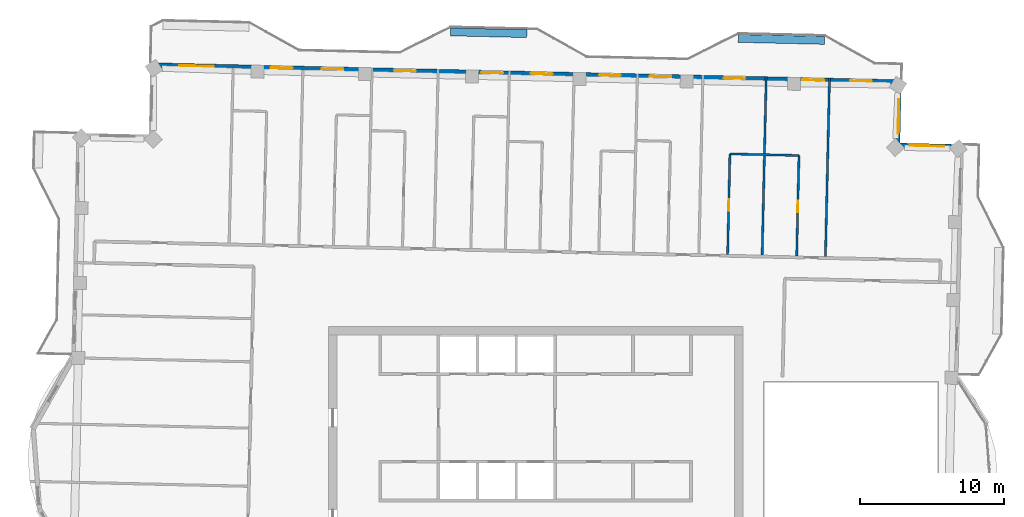
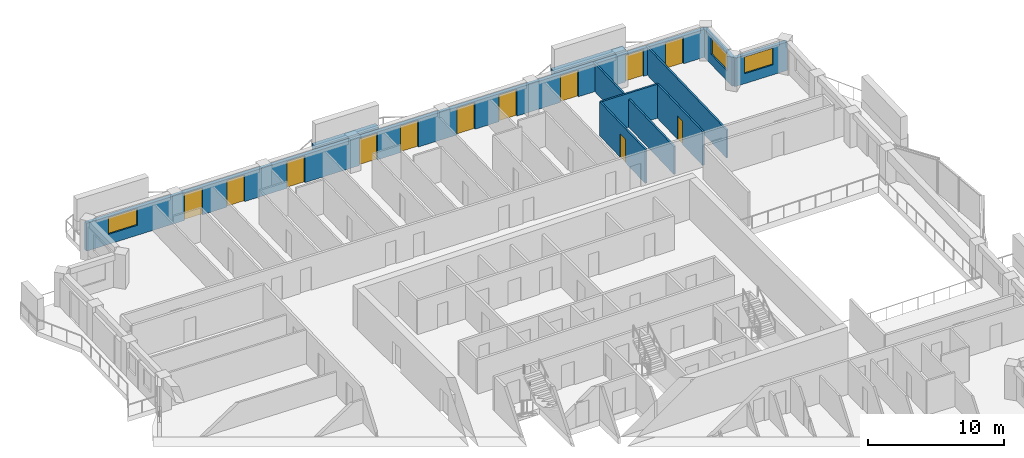
# One storey, part 10 of 15: 12 doors, 10 walls, 3 windows, 15 openings.
"""IFC4 building model written with IfcOpenShell, lengths in metres."""

from ifc_helpers import new_model, si_unit, direction, frame, frame_2d, origin, place, context, subcontext, project, spatial, rectangle, extrude, material, layer, layer_set, type_object, element, fill, save


model = new_model("IFC4")

# Units and contexts
model_context = context("Model", 3, precision=1e-05, world=origin(), true_north=direction((0.0, 1.0)))
body_context = subcontext(model_context, "Body", "Model", "MODEL_VIEW")
ifc_project = project(units=[si_unit("LENGTHUNIT", "METRE"), si_unit("AREAUNIT", "SQUARE_METRE"), si_unit("VOLUMEUNIT", "CUBIC_METRE"), si_unit("PLANEANGLEUNIT", "RADIAN"), si_unit("MASSUNIT", "GRAM", prefix="KILO")], contexts=[model_context])

# Site, building, storey
site_placement = place(None, origin())
site = spatial("IfcSite", under=ifc_project, at=site_placement, CompositionType="ELEMENT")
building_placement = place(site_placement, origin())
building = spatial("IfcBuilding", under=site, at=building_placement, Name="Mangrove Gate Tower", CompositionType="ELEMENT")
storey_placement = place(building_placement, frame((0.0, 0.0, 306.10009765625)))
storey = spatial("IfcBuildingStorey", under=building, at=storey_placement, Name="L78", CompositionType="ELEMENT", Elevation=306.10009765625)

# Wall, opening, window
ifc_material_1 = material(Name="Limestone", Category="masonry")
ifc_layer_1 = layer(ifc_material_1, 0.0400390625, Name="Limestone cladding")
ifc_material_2 = material(Name="Ventilated air gap")
ifc_layer_2 = layer(ifc_material_2, 0.0400390625, Name="Ventilated cavity")
ifc_material_3 = material(Name="Mineral wool insulation")
ifc_layer_3 = layer(ifc_material_3, 0.06005859375, Name="Insulation")
ifc_material_4 = material(Name="Breather membrane")
ifc_layer_4 = layer(ifc_material_4, 0.001953125, Name="Breather membrane")
ifc_material_5 = material(Name="Concrete C20/25 blockwork", Category="masonry")
ifc_layer_5 = layer(ifc_material_5, 0.14990234375, Name="Blockwork backing wall")
ifc_material_6 = material(Name="Gypsum plaster")
ifc_layer_6 = layer(ifc_material_6, 0.008056640625, Name="Internal plaster")
ifc_layer_set_1 = layer_set([ifc_layer_1, ifc_layer_2, ifc_layer_3, ifc_layer_4, ifc_layer_5, ifc_layer_6], Name="External wall 300 limestone cladding")
wall_type_1 = type_object("IfcWallType", Name="External wall 300 limestone cladding", PredefinedType="SOLIDWALL", material=ifc_layer_set_1)
wall_1_placement = place(storey_placement, frame((29.56298828125, 23.89892578125, 0.0), z_axis=(0.0, 0.0, 1.0), x_axis=(-0.999741204967, 0.022749133868, 0.0)))
wall_1 = element("IfcWall", 1, at=wall_1_placement, inside=storey, type_object=wall_type_1, Name="WALL-L78-N3", PredefinedType="SOLIDWALL", context=body_context, shape_type="SweptSolid", body=[
    extrude(rectangle(XDim=4.400146484375, YDim=0.300048828125, at=frame_2d((2.2001953125, 0.0))), origin(), (0.0, 0.0, 1.0), 2.5498046875),
])
opening_1_placement = place(wall_1_placement, frame((1.181884765625, 0.0, 0.89990234375)))
opening_1 = element("IfcOpeningElement", 2, at=opening_1_placement, cuts=wall_1, Name="Opening W2", PredefinedType="OPENING", context=body_context, shape_type="SweptSolid", body=[
    extrude(rectangle(XDim=2.39990234375, YDim=1.5, at=frame_2d((1.199951171875, 0.75))), frame((0.0, 0.159912109375, 0.0), z_axis=(0.0, -1.0, 0.0), x_axis=(1.0, 0.0, 0.0)), (0.0, 0.0, 1.0), 0.320068359375),
])
ifc_material_7 = material(Name="Aluminium frame with double-glazed low-e glass", Category="aluminium")
window_type = type_object("IfcWindowType", Name="Corner room window 2400x1500", PartitioningType="DOUBLE_PANEL_VERTICAL", PredefinedType="WINDOW", material=ifc_material_7)
window_1_placement = place(opening_1_placement, origin())
window_1 = element("IfcWindow", 3, at=window_1_placement, inside=storey, type_object=window_type, Name="WIN-L78-N3-1", OverallHeight=1.5, OverallWidth=2.39990234375, PartitioningType="DOUBLE_PANEL_VERTICAL", PredefinedType="WINDOW", context=body_context, shape_type="SweptSolid", body=[
    extrude(rectangle(XDim=2.39990234375, YDim=1.5, at=frame_2d((1.199951171875, 0.75))), frame((0.0, 0.030029296875, 0.0), z_axis=(0.0, -1.0, 0.0), x_axis=(1.0, 0.0, 0.0)), (0.0, 0.0, 1.0), 0.06005859375),
])
fill(opening_1, window_1)

wall_2_placement = place(storey_placement, frame((25.1640625, 23.9990234375, 0.0), z_axis=(0.0, 0.0, 1.0), x_axis=(0.02269871331, 0.999742351016, 0.0)))
wall_2 = element("IfcWall", 4, at=wall_2_placement, inside=storey, type_object=wall_type_1, Name="WALL-L78-E4", PredefinedType="SOLIDWALL", context=body_context, shape_type="SweptSolid", body=[
    extrude(rectangle(XDim=4.399169921875, YDim=0.300048828125, at=frame_2d((2.19970703125, 0.0))), origin(), (0.0, 0.0, 1.0), 2.5498046875),
])
opening_2_placement = place(wall_2_placement, frame((0.806884765625, 0.0, 0.89990234375)))
opening_2 = element("IfcOpeningElement", 5, at=opening_2_placement, cuts=wall_2, Name="Opening W2", PredefinedType="OPENING", context=body_context, shape_type="SweptSolid", body=[
    extrude(rectangle(XDim=2.39990234375, YDim=1.5, at=frame_2d((1.199951171875, 0.75))), frame((0.0, 0.159912109375, 0.0), z_axis=(0.0, -1.0, 0.0), x_axis=(1.0, 0.0, 0.0)), (0.0, 0.0, 1.0), 0.320068359375),
])
window_2_placement = place(opening_2_placement, origin())
window_2 = element("IfcWindow", 6, at=window_2_placement, inside=storey, type_object=window_type, Name="WIN-L78-E4-1", OverallHeight=1.5, OverallWidth=2.39990234375, PartitioningType="DOUBLE_PANEL_VERTICAL", PredefinedType="WINDOW", context=body_context, shape_type="SweptSolid", body=[
    extrude(rectangle(XDim=2.39990234375, YDim=1.5, at=frame_2d((1.199951171875, 0.75))), frame((0.0, 0.030029296875, 0.0), z_axis=(0.0, -1.0, 0.0), x_axis=(1.0, 0.0, 0.0)), (0.0, 0.0, 1.0), 0.06005859375),
])
fill(opening_2, window_2)

# Wall, openings, doors, window
wall_3_placement = place(storey_placement, frame((25.263916015625, 28.39697265625, 0.0), z_axis=(0.0, 0.0, 1.0), x_axis=(-0.999742391375, 0.022696935658, 0.0)))
wall_3 = element("IfcWall", 7, at=wall_3_placement, inside=storey, type_object=wall_type_1, Name="WALL-L78-N5", PredefinedType="SOLIDWALL", context=body_context, shape_type="SweptSolid", body=[
    extrude(rectangle(XDim=51.900390625, YDim=0.300048828125, at=frame_2d((25.9501953125, 0.0))), origin(), (0.0, 0.0, 1.0), 2.5),
])
opening_3_placement = place(wall_3_placement, frame((1.89794921875, 0.0, 0.0)))
opening_3 = element("IfcOpeningElement", 8, at=opening_3_placement, cuts=wall_3, Name="Opening BD1", PredefinedType="OPENING", context=body_context, shape_type="SweptSolid", body=[
    extrude(rectangle(XDim=1.5, YDim=2.39990234375, at=frame_2d((0.75, 1.199951171875))), frame((0.0, 0.159912109375, 0.0), z_axis=(0.0, -1.0, 0.0), x_axis=(1.0, 0.0, 0.0)), (0.0, 0.0, 1.0), 0.320068359375),
])
opening_4_placement = place(wall_3_placement, frame((5.22900390625, 0.0, 0.0)))
opening_4 = element("IfcOpeningElement", 9, at=opening_4_placement, cuts=wall_3, Name="Opening BD1", PredefinedType="OPENING", context=body_context, shape_type="SweptSolid", body=[
    extrude(rectangle(XDim=1.5, YDim=2.39990234375, at=frame_2d((0.75, 1.199951171875))), frame((0.0, 0.159912109375, 0.0), z_axis=(0.0, -1.0, 0.0), x_axis=(1.0, 0.0, 0.0)), (0.0, 0.0, 1.0), 0.320068359375),
])
opening_5_placement = place(wall_3_placement, frame((10.699951171875, 0.0, 0.0)))
opening_5 = element("IfcOpeningElement", 10, at=opening_5_placement, cuts=wall_3, Name="Opening BD1", PredefinedType="OPENING", context=body_context, shape_type="SweptSolid", body=[
    extrude(rectangle(XDim=1.5, YDim=2.39990234375, at=frame_2d((0.75, 1.199951171875))), frame((0.0, 0.159912109375, 0.0), z_axis=(0.0, -1.0, 0.0), x_axis=(1.0, 0.0, 0.0)), (0.0, 0.0, 1.0), 0.320068359375),
])
opening_6_placement = place(wall_3_placement, frame((15.83203125, 0.0, 0.0)))
opening_6 = element("IfcOpeningElement", 11, at=opening_6_placement, cuts=wall_3, Name="Opening BD1", PredefinedType="OPENING", context=body_context, shape_type="SweptSolid", body=[
    extrude(rectangle(XDim=1.5, YDim=2.39990234375, at=frame_2d((0.75, 1.199951171875))), frame((0.0, 0.159912109375, 0.0), z_axis=(0.0, -1.0, 0.0), x_axis=(1.0, 0.0, 0.0)), (0.0, 0.0, 1.0), 0.320068359375),
])
opening_7_placement = place(wall_3_placement, frame((19.361083984375, 0.0, 0.0)))
opening_7 = element("IfcOpeningElement", 12, at=opening_7_placement, cuts=wall_3, Name="Opening BD1", PredefinedType="OPENING", context=body_context, shape_type="SweptSolid", body=[
    extrude(rectangle(XDim=1.5, YDim=2.39990234375, at=frame_2d((0.75, 1.199951171875))), frame((0.0, 0.159912109375, 0.0), z_axis=(0.0, -1.0, 0.0), x_axis=(1.0, 0.0, 0.0)), (0.0, 0.0, 1.0), 0.320068359375),
])
opening_8_placement = place(wall_3_placement, frame((24.10009765625, 0.0, 0.0)))
opening_8 = element("IfcOpeningElement", 13, at=opening_8_placement, cuts=wall_3, Name="Opening BD1", PredefinedType="OPENING", context=body_context, shape_type="SweptSolid", body=[
    extrude(rectangle(XDim=1.5, YDim=2.39990234375, at=frame_2d((0.75, 1.199951171875))), frame((0.0, 0.159912109375, 0.0), z_axis=(0.0, -1.0, 0.0), x_axis=(1.0, 0.0, 0.0)), (0.0, 0.0, 1.0), 0.320068359375),
])
opening_9_placement = place(wall_3_placement, frame((27.5390625, 0.0, 0.0)))
opening_9 = element("IfcOpeningElement", 14, at=opening_9_placement, cuts=wall_3, Name="Opening BD1", PredefinedType="OPENING", context=body_context, shape_type="SweptSolid", body=[
    extrude(rectangle(XDim=1.5, YDim=2.39990234375, at=frame_2d((0.75, 1.199951171875))), frame((0.0, 0.159912109375, 0.0), z_axis=(0.0, -1.0, 0.0), x_axis=(1.0, 0.0, 0.0)), (0.0, 0.0, 1.0), 0.320068359375),
])
opening_10_placement = place(wall_3_placement, frame((33.60009765625, 0.0, 0.0)))
opening_10 = element("IfcOpeningElement", 15, at=opening_10_placement, cuts=wall_3, Name="Opening BD1", PredefinedType="OPENING", context=body_context, shape_type="SweptSolid", body=[
    extrude(rectangle(XDim=1.5, YDim=2.39990234375, at=frame_2d((0.75, 1.199951171875))), frame((0.0, 0.159912109375, 0.0), z_axis=(0.0, -1.0, 0.0), x_axis=(1.0, 0.0, 0.0)), (0.0, 0.0, 1.0), 0.320068359375),
])
opening_11_placement = place(wall_3_placement, frame((38.64306640625, 0.0, 0.0)))
opening_11 = element("IfcOpeningElement", 16, at=opening_11_placement, cuts=wall_3, Name="Opening BD1", PredefinedType="OPENING", context=body_context, shape_type="SweptSolid", body=[
    extrude(rectangle(XDim=1.5, YDim=2.39990234375, at=frame_2d((0.75, 1.199951171875))), frame((0.0, 0.159912109375, 0.0), z_axis=(0.0, -1.0, 0.0), x_axis=(1.0, 0.0, 0.0)), (0.0, 0.0, 1.0), 0.320068359375),
])
opening_12_placement = place(wall_3_placement, frame((42.1708984375, 0.0, 0.0)))
opening_12 = element("IfcOpeningElement", 17, at=opening_12_placement, cuts=wall_3, Name="Opening BD1", PredefinedType="OPENING", context=body_context, shape_type="SweptSolid", body=[
    extrude(rectangle(XDim=1.5, YDim=2.39990234375, at=frame_2d((0.75, 1.199951171875))), frame((0.0, 0.159912109375, 0.0), z_axis=(0.0, -1.0, 0.0), x_axis=(1.0, 0.0, 0.0)), (0.0, 0.0, 1.0), 0.320068359375),
])
opening_13_placement = place(wall_3_placement, frame((47.636962890625, 0.0, 0.89990234375)))
opening_13 = element("IfcOpeningElement", 18, at=opening_13_placement, cuts=wall_3, Name="Opening W2", PredefinedType="OPENING", context=body_context, shape_type="SweptSolid", body=[
    extrude(rectangle(XDim=2.39990234375, YDim=1.5, at=frame_2d((1.199951171875, 0.75))), frame((0.0, 0.159912109375, 0.0), z_axis=(0.0, -1.0, 0.0), x_axis=(1.0, 0.0, 0.0)), (0.0, 0.0, 1.0), 0.320068359375),
])
ifc_material_8 = material(Name="Aluminium frame with laminated clear glass", Category="aluminium")
door_type_1 = type_object("IfcDoorType", Name="Balcony sliding door 1500x2400", OperationType="SLIDING_TO_LEFT", PredefinedType="DOOR", material=ifc_material_8)
door_1_placement = place(opening_3_placement, origin())
door_1 = element("IfcDoor", 19, at=door_1_placement, inside=storey, type_object=door_type_1, Name="DOOR-L78-N5-1", OperationType="SLIDING_TO_LEFT", OverallHeight=2.39990234375, OverallWidth=1.5, PredefinedType="DOOR", context=body_context, shape_type="SweptSolid", body=[
    extrude(rectangle(XDim=1.5, YDim=2.39990234375, at=frame_2d((0.75, 1.199951171875))), frame((0.0, 0.02490234375, 0.0), z_axis=(0.0, -1.0, 0.0), x_axis=(1.0, 0.0, 0.0)), (0.0, 0.0, 1.0), 0.050048828125),
])
fill(opening_3, door_1)
door_2_placement = place(opening_4_placement, origin())
door_2 = element("IfcDoor", 20, at=door_2_placement, inside=storey, type_object=door_type_1, Name="DOOR-L78-N5-2", OperationType="SLIDING_TO_LEFT", OverallHeight=2.39990234375, OverallWidth=1.5, PredefinedType="DOOR", context=body_context, shape_type="SweptSolid", body=[
    extrude(rectangle(XDim=1.5, YDim=2.39990234375, at=frame_2d((0.75, 1.199951171875))), frame((0.0, 0.02490234375, 0.0), z_axis=(0.0, -1.0, 0.0), x_axis=(1.0, 0.0, 0.0)), (0.0, 0.0, 1.0), 0.050048828125),
])
fill(opening_4, door_2)
door_3_placement = place(opening_5_placement, origin())
door_3 = element("IfcDoor", 21, at=door_3_placement, inside=storey, type_object=door_type_1, Name="DOOR-L78-N5-3", OperationType="SLIDING_TO_LEFT", OverallHeight=2.39990234375, OverallWidth=1.5, PredefinedType="DOOR", context=body_context, shape_type="SweptSolid", body=[
    extrude(rectangle(XDim=1.5, YDim=2.39990234375, at=frame_2d((0.75, 1.199951171875))), frame((0.0, 0.02490234375, 0.0), z_axis=(0.0, -1.0, 0.0), x_axis=(1.0, 0.0, 0.0)), (0.0, 0.0, 1.0), 0.050048828125),
])
fill(opening_5, door_3)
door_4_placement = place(opening_6_placement, origin())
door_4 = element("IfcDoor", 22, at=door_4_placement, inside=storey, type_object=door_type_1, Name="DOOR-L78-N5-4", OperationType="SLIDING_TO_LEFT", OverallHeight=2.39990234375, OverallWidth=1.5, PredefinedType="DOOR", context=body_context, shape_type="SweptSolid", body=[
    extrude(rectangle(XDim=1.5, YDim=2.39990234375, at=frame_2d((0.75, 1.199951171875))), frame((0.0, 0.02490234375, 0.0), z_axis=(0.0, -1.0, 0.0), x_axis=(1.0, 0.0, 0.0)), (0.0, 0.0, 1.0), 0.050048828125),
])
fill(opening_6, door_4)
door_5_placement = place(opening_7_placement, origin())
door_5 = element("IfcDoor", 23, at=door_5_placement, inside=storey, type_object=door_type_1, Name="DOOR-L78-N5-5", OperationType="SLIDING_TO_LEFT", OverallHeight=2.39990234375, OverallWidth=1.5, PredefinedType="DOOR", context=body_context, shape_type="SweptSolid", body=[
    extrude(rectangle(XDim=1.5, YDim=2.39990234375, at=frame_2d((0.75, 1.199951171875))), frame((0.0, 0.02490234375, 0.0), z_axis=(0.0, -1.0, 0.0), x_axis=(1.0, 0.0, 0.0)), (0.0, 0.0, 1.0), 0.050048828125),
])
fill(opening_7, door_5)
door_6_placement = place(opening_8_placement, origin())
door_6 = element("IfcDoor", 24, at=door_6_placement, inside=storey, type_object=door_type_1, Name="DOOR-L78-N5-6", OperationType="SLIDING_TO_LEFT", OverallHeight=2.39990234375, OverallWidth=1.5, PredefinedType="DOOR", context=body_context, shape_type="SweptSolid", body=[
    extrude(rectangle(XDim=1.5, YDim=2.39990234375, at=frame_2d((0.75, 1.199951171875))), frame((0.0, 0.02490234375, 0.0), z_axis=(0.0, -1.0, 0.0), x_axis=(1.0, 0.0, 0.0)), (0.0, 0.0, 1.0), 0.050048828125),
])
fill(opening_8, door_6)
door_7_placement = place(opening_9_placement, origin())
door_7 = element("IfcDoor", 25, at=door_7_placement, inside=storey, type_object=door_type_1, Name="DOOR-L78-N5-7", OperationType="SLIDING_TO_LEFT", OverallHeight=2.39990234375, OverallWidth=1.5, PredefinedType="DOOR", context=body_context, shape_type="SweptSolid", body=[
    extrude(rectangle(XDim=1.5, YDim=2.39990234375, at=frame_2d((0.75, 1.199951171875))), frame((0.0, 0.02490234375, 0.0), z_axis=(0.0, -1.0, 0.0), x_axis=(1.0, 0.0, 0.0)), (0.0, 0.0, 1.0), 0.050048828125),
])
fill(opening_9, door_7)
door_8_placement = place(opening_10_placement, origin())
door_8 = element("IfcDoor", 26, at=door_8_placement, inside=storey, type_object=door_type_1, Name="DOOR-L78-N5-8", OperationType="SLIDING_TO_LEFT", OverallHeight=2.39990234375, OverallWidth=1.5, PredefinedType="DOOR", context=body_context, shape_type="SweptSolid", body=[
    extrude(rectangle(XDim=1.5, YDim=2.39990234375, at=frame_2d((0.75, 1.199951171875))), frame((0.0, 0.02490234375, 0.0), z_axis=(0.0, -1.0, 0.0), x_axis=(1.0, 0.0, 0.0)), (0.0, 0.0, 1.0), 0.050048828125),
])
fill(opening_10, door_8)
door_9_placement = place(opening_11_placement, origin())
door_9 = element("IfcDoor", 27, at=door_9_placement, inside=storey, type_object=door_type_1, Name="DOOR-L78-N5-9", OperationType="SLIDING_TO_LEFT", OverallHeight=2.39990234375, OverallWidth=1.5, PredefinedType="DOOR", context=body_context, shape_type="SweptSolid", body=[
    extrude(rectangle(XDim=1.5, YDim=2.39990234375, at=frame_2d((0.75, 1.199951171875))), frame((0.0, 0.02490234375, 0.0), z_axis=(0.0, -1.0, 0.0), x_axis=(1.0, 0.0, 0.0)), (0.0, 0.0, 1.0), 0.050048828125),
])
fill(opening_11, door_9)
door_10_placement = place(opening_12_placement, origin())
door_10 = element("IfcDoor", 28, at=door_10_placement, inside=storey, type_object=door_type_1, Name="DOOR-L78-N5-10", OperationType="SLIDING_TO_LEFT", OverallHeight=2.39990234375, OverallWidth=1.5, PredefinedType="DOOR", context=body_context, shape_type="SweptSolid", body=[
    extrude(rectangle(XDim=1.5, YDim=2.39990234375, at=frame_2d((0.75, 1.199951171875))), frame((0.0, 0.02490234375, 0.0), z_axis=(0.0, -1.0, 0.0), x_axis=(1.0, 0.0, 0.0)), (0.0, 0.0, 1.0), 0.050048828125),
])
fill(opening_12, door_10)
window_3_placement = place(opening_13_placement, origin())
window_3 = element("IfcWindow", 29, at=window_3_placement, inside=storey, type_object=window_type, Name="WIN-L78-N5-11", OverallHeight=1.5, OverallWidth=2.39990234375, PartitioningType="DOUBLE_PANEL_VERTICAL", PredefinedType="WINDOW", context=body_context, shape_type="SweptSolid", body=[
    extrude(rectangle(XDim=2.39990234375, YDim=1.5, at=frame_2d((1.199951171875, 0.75))), frame((0.0, 0.030029296875, 0.0), z_axis=(0.0, -1.0, 0.0), x_axis=(1.0, 0.0, 0.0)), (0.0, 0.0, 1.0), 0.06005859375),
])
fill(opening_13, window_3)

# Wall, opening, door
ifc_material_9 = material(Name="Gypsum board on steel stud, EI 60", Category="steel")
ifc_layer_7 = layer(ifc_material_9, 0.14990234375)
ifc_layer_set_2 = layer_set([ifc_layer_7], Name="Party wall 150 EI 60")
wall_type_2 = type_object("IfcWallType", Name="Party wall 150 EI 60", PredefinedType="PARTITIONING", material=ifc_layer_set_2)
wall_4_placement = place(storey_placement, frame((13.339111328125, 16.4150390625, 0.0), z_axis=(0.0, 0.0, 1.0), x_axis=(0.022630826984, 0.999743890039, 0.0)))
wall_4 = element("IfcWall", 30, at=wall_4_placement, inside=storey, type_object=wall_type_2, Name="WALL-L78-074", PredefinedType="PARTITIONING", context=body_context, shape_type="SweptSolid", body=[
    extrude(rectangle(XDim=6.979736328125, YDim=0.14990234375, at=frame_2d((3.48974609375, 0.0))), origin(), (0.0, 0.0, 1.0), 3.0498046875),
])
opening_14_placement = place(wall_4_placement, frame((3.0400390625, 0.0, 0.0)))
opening_14 = element("IfcOpeningElement", 31, at=opening_14_placement, cuts=wall_4, Name="Opening ED", PredefinedType="OPENING", context=body_context, shape_type="SweptSolid", body=[
    extrude(rectangle(XDim=0.800048828125, YDim=2.10009765625, at=frame_2d((0.39990234375, 1.050048828125))), frame((0.0, 0.0849609375, 0.0), z_axis=(0.0, -1.0, 0.0), x_axis=(1.0, 0.0, 0.0)), (0.0, 0.0, 1.0), 0.169921875),
])
ifc_material_10 = material(Name="Timber door leaf", Category="wood")
door_type_2 = type_object("IfcDoorType", Name="En-suite door 800", OperationType="SINGLE_SWING_LEFT", PredefinedType="DOOR", material=ifc_material_10)
door_11_placement = place(opening_14_placement, origin())
door_11 = element("IfcDoor", 32, at=door_11_placement, inside=storey, type_object=door_type_2, Name="DOOR-L78-ENS-c312", OperationType="SINGLE_SWING_RIGHT", OverallHeight=2.10009765625, OverallWidth=0.800048828125, PredefinedType="DOOR", context=body_context, shape_type="SweptSolid", body=[
    extrude(rectangle(XDim=0.800048828125, YDim=2.10009765625, at=frame_2d((0.39990234375, 1.050048828125))), frame((0.0, 0.02490234375, 0.0), z_axis=(0.0, -1.0, 0.0), x_axis=(1.0, 0.0, 0.0)), (0.0, 0.0, 1.0), 0.050048828125),
])
fill(opening_14, door_11)

# Wall
wall_5_placement = place(storey_placement, frame((15.738037109375, 16.360107421875, 0.0), z_axis=(0.0, 0.0, 1.0), x_axis=(0.022740189192, 0.999741408463, 0.0)))
element("IfcWall", 33, at=wall_5_placement, inside=storey, type_object=wall_type_2, Name="WALL-L78-075", PredefinedType="PARTITIONING", context=body_context, shape_type="SweptSolid", body=[
    extrude(rectangle(XDim=12.400146484375, YDim=0.14990234375, at=frame_2d((6.2001953125, 0.0))), origin(), (0.0, 0.0, 1.0), 2.5),
])

# Wall, opening, door
wall_6_placement = place(storey_placement, frame((18.137939453125, 16.305908203125, 0.0), z_axis=(0.0, 0.0, 1.0), x_axis=(0.022630826984, 0.999743890039, 0.0)))
wall_6 = element("IfcWall", 34, at=wall_6_placement, inside=storey, type_object=wall_type_2, Name="WALL-L78-076", PredefinedType="PARTITIONING", context=body_context, shape_type="SweptSolid", body=[
    extrude(rectangle(XDim=6.979736328125, YDim=0.14990234375, at=frame_2d((3.48974609375, 0.0))), origin(), (0.0, 0.0, 1.0), 3.0498046875),
])
opening_15_placement = place(wall_6_placement, frame((3.0400390625, 0.0, 0.0)))
opening_15 = element("IfcOpeningElement", 35, at=opening_15_placement, cuts=wall_6, Name="Opening ED", PredefinedType="OPENING", context=body_context, shape_type="SweptSolid", body=[
    extrude(rectangle(XDim=0.800048828125, YDim=2.10009765625, at=frame_2d((0.39990234375, 1.050048828125))), frame((0.0, 0.0849609375, 0.0), z_axis=(0.0, -1.0, 0.0), x_axis=(1.0, 0.0, 0.0)), (0.0, 0.0, 1.0), 0.169921875),
])
door_12_placement = place(opening_15_placement, origin())
door_12 = element("IfcDoor", 36, at=door_12_placement, inside=storey, type_object=door_type_2, Name="DOOR-L78-ENS-c311", OperationType="SINGLE_SWING_LEFT", OverallHeight=2.10009765625, OverallWidth=0.800048828125, PredefinedType="DOOR", context=body_context, shape_type="SweptSolid", body=[
    extrude(rectangle(XDim=0.800048828125, YDim=2.10009765625, at=frame_2d((0.39990234375, 1.050048828125))), frame((0.0, 0.02490234375, 0.0), z_axis=(0.0, -1.0, 0.0), x_axis=(1.0, 0.0, 0.0)), (0.0, 0.0, 1.0), 0.050048828125),
])
fill(opening_15, door_12)

# Walls
wall_7_placement = place(storey_placement, frame((20.136962890625, 16.260986328125, 0.0), z_axis=(0.0, 0.0, 1.0), x_axis=(0.022663260168, 0.999743155335, 0.0)))
element("IfcWall", 37, at=wall_7_placement, inside=storey, type_object=wall_type_2, Name="WALL-L78-077", PredefinedType="PARTITIONING", context=body_context, shape_type="SweptSolid", body=[
    extrude(rectangle(XDim=12.399169921875, YDim=0.14990234375, at=frame_2d((6.19970703125, 0.0))), origin(), (0.0, 0.0, 1.0), 2.5),
])
wall_8_placement = place(storey_placement, frame((13.4970703125, 23.39306640625, 0.0), z_axis=(0.0, 0.0, 1.0), x_axis=(0.999741520352, -0.022735269617, 0.0)))
element("IfcWall", 38, at=wall_8_placement, inside=storey, type_object=wall_type_2, Name="WALL-L78-079", PredefinedType="PARTITIONING", context=body_context, shape_type="SweptSolid", body=[
    extrude(rectangle(XDim=4.800048828125, YDim=0.14990234375, at=frame_2d((2.39990234375, 0.0))), origin(), (0.0, 0.0, 1.0), 3.0498046875),
])
ifc_material_11 = material(Name="Concrete C32/40", Category="concrete")
ifc_layer_8 = layer(ifc_material_11, 0.199951171875, Name="Planter trough wall")
ifc_material_12 = material(Name="Bituminous waterproofing membrane")
ifc_layer_9 = layer(ifc_material_12, 0.0048828125, Name="Waterproofing")
ifc_material_13 = material(Name="Drainage board and gravel")
ifc_layer_10 = layer(ifc_material_13, 0.044921875, Name="Drainage layer")
ifc_material_14 = material(Name="Planting soil")
ifc_layer_11 = layer(ifc_material_14, 0.300048828125, Name="Growing medium")
ifc_layer_set_3 = layer_set([ifc_layer_8, ifc_layer_9, ifc_layer_10, ifc_layer_11], Name="Planter wall 550 C32/40")
wall_type_3 = type_object("IfcWallType", Name="Planter wall 550 C32/40", PredefinedType="USERDEFINED", material=ifc_layer_set_3)
wall_9_placement = place(storey_placement, frame((14.080078125, 31.4169921875, 0.0), z_axis=(0.0, 0.0, 1.0), x_axis=(0.999743073592, -0.022666865795, 0.0)))
element("IfcWall", 39, at=wall_9_placement, inside=storey, type_object=wall_type_3, Name="PLANTER L78 N0.1", ObjectType="PLANTER", PredefinedType="USERDEFINED", context=body_context, shape_type="SweptSolid", body=[
    extrude(rectangle(XDim=5.999267578125, YDim=0.550048828125, at=frame_2d((2.99951171875, 0.0))), origin(), (0.0, 0.0, 1.0), 0.7998046875),
])
wall_10_placement = place(storey_placement, frame((-5.9150390625, 31.87109375, 0.0), z_axis=(0.0, 0.0, 1.0), x_axis=(0.999738901878, -0.022850121899, 0.0)))
element("IfcWall", 40, at=wall_10_placement, inside=storey, type_object=wall_type_3, Name="PLANTER L78 N1.2", ObjectType="PLANTER", PredefinedType="USERDEFINED", context=body_context, shape_type="SweptSolid", body=[
    extrude(rectangle(XDim=5.299560546875, YDim=0.550048828125, at=frame_2d((2.64990234375, 0.0))), origin(), (0.0, 0.0, 1.0), 0.7998046875),
])

save(model, "model.ifc")
